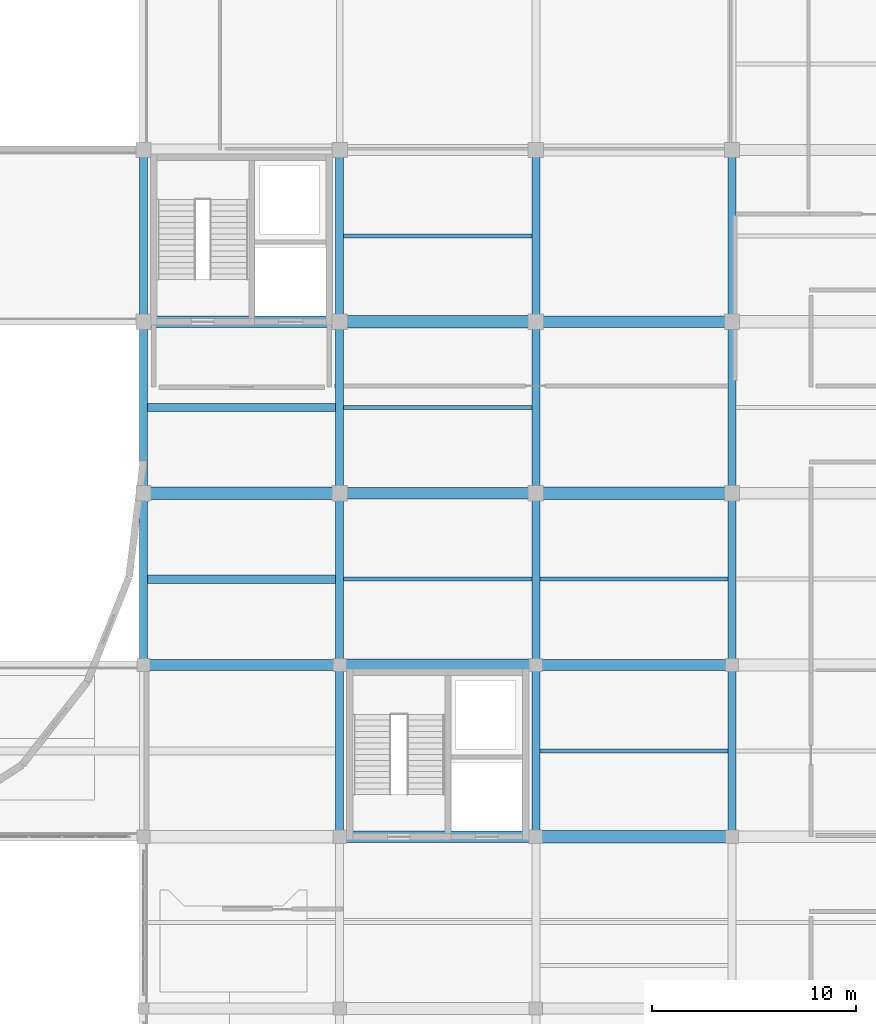
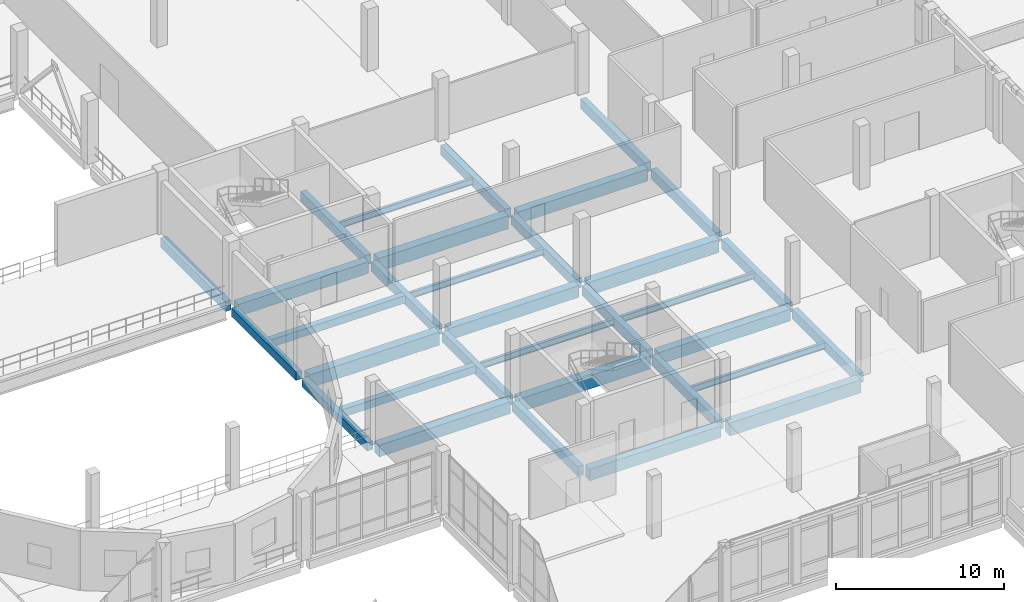
# One storey, part 40 of 88: 33 beams.
"""IFC4 building model written with IfcOpenShell, lengths in metres."""

from ifc_helpers import new_model, si_unit, direction, frame, origin, origin_2d, place, context, subcontext, project, spatial, rectangle, i_section, extrude, material, material_profile, profile_set, type_object, element, save


model = new_model("IFC4")

# Units and contexts
model_context = context("Model", 3, precision=1e-05, world=origin(), true_north=direction((0.0, 1.0)))
body_context = subcontext(model_context, "Body", "Model", "MODEL_VIEW")
ifc_project = project(units=[si_unit("LENGTHUNIT", "METRE"), si_unit("AREAUNIT", "SQUARE_METRE"), si_unit("VOLUMEUNIT", "CUBIC_METRE"), si_unit("PLANEANGLEUNIT", "RADIAN"), si_unit("MASSUNIT", "GRAM", prefix="KILO")], contexts=[model_context])

# Site, building, storey
site_placement = place(None, origin())
site = spatial("IfcSite", under=ifc_project, at=site_placement, CompositionType="ELEMENT")
building_placement = place(site_placement, origin())
building = spatial("IfcBuilding", under=site, at=building_placement, Name="Lornevale Opera House", CompositionType="ELEMENT")
storey_placement = place(building_placement, frame((0.0, 0.0, 10.199951171875)))
storey = spatial("IfcBuildingStorey", under=building, at=storey_placement, Name="L03", CompositionType="ELEMENT", Elevation=10.199951171875)

# Beams
ifc_material_1 = material(Name="Concrete 35 MPa (CSA A23.1 N)", Category="concrete")
ifc_material_profile_1 = material_profile(ifc_material_1, rectangle(XDim=0.39990234375, YDim=0.550048828125, at=origin_2d()), Name="RC400x550")
ifc_profile_set_1 = profile_set([ifc_material_profile_1], Name="Concrete 35 MPa (CSA A23.1 N)")
beam_type_1 = type_object("IfcBeamType", Name="Auditorium Tier Raker Beam 400x550", PredefinedType="JOIST", material=ifc_profile_set_1)
for number, where, z_axis, x_axis, name in (
    (1, (96.199951171875, 46.199951171875, -0.554931640625), (1.0, 0.0, 0.0), (0.0, 1.0, 0.0), "Auditorium Tier Raker Beam 400x550 2419"),
    (2, (96.199951171875, 54.60009765625, -0.554931640625), (1.0, 0.0, 0.0), (0.0, 1.0, 0.0), "Auditorium Tier Raker Beam 400x550 2420"),
):
    element("IfcBeam", number, at=place(storey_placement, frame(where, z_axis=z_axis, x_axis=x_axis)), inside=storey, type_object=beam_type_1, Name=name, PredefinedType="JOIST", context=body_context, shape_type="SweptSolid", body=[
        extrude(rectangle(XDim=0.39990234375, YDim=0.550048828125, at=origin_2d()), origin(), (0.0, 0.0, 1.0), 9.199951171875),
    ])
ifc_material_profile_2 = material_profile(ifc_material_1, rectangle(XDim=0.39990234375, YDim=0.699951171875, at=origin_2d()), Name="RC400x700")
ifc_profile_set_2 = profile_set([ifc_material_profile_2], Name="Concrete 35 MPa (CSA A23.1 N)")
beam_type_2 = type_object("IfcBeamType", Name="Concrete Floor Beam 400x700", PredefinedType="USERDEFINED", material=ifc_profile_set_2)
beam_1_placement = place(storey_placement, frame((96.0, 59.14990234375, -0.6298828125), z_axis=(0.0, 1.0, 0.0), x_axis=(-1.0, 0.0, 0.0)))
element("IfcBeam", 3, at=beam_1_placement, inside=storey, type_object=beam_type_2, Name="Concrete Floor Beam 400x700 2306", ObjectType="GIRDER", PredefinedType="USERDEFINED", context=body_context, shape_type="SweptSolid", body=[
    extrude(rectangle(XDim=0.39990234375, YDim=0.699951171875, at=origin_2d()), origin(), (0.0, 0.0, 1.0), 7.7001953125),
])
beam_2_placement = place(storey_placement, frame((105.60009765625, 33.89990234375, -0.6298828125), z_axis=(0.0, 1.0, 0.0), x_axis=(-1.0, 0.0, 0.0)))
element("IfcBeam", 4, at=beam_2_placement, inside=storey, type_object=beam_type_2, Name="Concrete Floor Beam 400x700 2313", ObjectType="GIRDER", PredefinedType="USERDEFINED", context=body_context, shape_type="SweptSolid", body=[
    extrude(rectangle(XDim=0.39990234375, YDim=0.699951171875, at=origin_2d()), origin(), (0.0, 0.0, 1.0), 7.800048828125),
])
beam_3_placement = place(storey_placement, frame((105.60009765625, 42.300048828125, -0.6298828125), z_axis=(0.0, 1.0, 0.0), x_axis=(-1.0, 0.0, 0.0)))
element("IfcBeam", 5, at=beam_3_placement, inside=storey, type_object=beam_type_2, Name="Concrete Floor Beam 400x700 2314", ObjectType="GIRDER", PredefinedType="USERDEFINED", context=body_context, shape_type="SweptSolid", body=[
    extrude(rectangle(XDim=0.39990234375, YDim=0.699951171875, at=origin_2d()), origin(), (0.0, 0.0, 1.0), 7.75),
])
beam_4_placement = place(storey_placement, frame((105.60009765625, 50.75, -0.6298828125), z_axis=(0.0, 1.0, 0.0), x_axis=(-1.0, 0.0, 0.0)))
element("IfcBeam", 6, at=beam_4_placement, inside=storey, type_object=beam_type_2, Name="Concrete Floor Beam 400x700 2315", ObjectType="GIRDER", PredefinedType="USERDEFINED", context=body_context, shape_type="SweptSolid", body=[
    extrude(rectangle(XDim=0.39990234375, YDim=0.699951171875, at=origin_2d()), origin(), (0.0, 0.0, 1.0), 7.699951171875),
])
beam_5_placement = place(storey_placement, frame((105.60009765625, 59.14990234375, -0.6298828125), z_axis=(0.0, 1.0, 0.0), x_axis=(-1.0, 0.0, 0.0)))
element("IfcBeam", 7, at=beam_5_placement, inside=storey, type_object=beam_type_2, Name="Concrete Floor Beam 400x700 2316", ObjectType="GIRDER", PredefinedType="USERDEFINED", context=body_context, shape_type="SweptSolid", body=[
    extrude(rectangle(XDim=0.39990234375, YDim=0.699951171875, at=origin_2d()), origin(), (0.0, 0.0, 1.0), 7.7001953125),
])
beam_6_placement = place(storey_placement, frame((115.199951171875, 33.89990234375, -0.6298828125), z_axis=(0.0, 1.0, 0.0), x_axis=(-1.0, 0.0, 0.0)))
element("IfcBeam", 8, at=beam_6_placement, inside=storey, type_object=beam_type_2, Name="Concrete Floor Beam 400x700 2322", ObjectType="GIRDER", PredefinedType="USERDEFINED", context=body_context, shape_type="SweptSolid", body=[
    extrude(rectangle(XDim=0.39990234375, YDim=0.699951171875, at=origin_2d()), origin(), (0.0, 0.0, 1.0), 7.800048828125),
])
beam_7_placement = place(storey_placement, frame((115.199951171875, 42.300048828125, -0.6298828125), z_axis=(0.0, 1.0, 0.0), x_axis=(-1.0, 0.0, 0.0)))
element("IfcBeam", 9, at=beam_7_placement, inside=storey, type_object=beam_type_2, Name="Concrete Floor Beam 400x700 2323", ObjectType="GIRDER", PredefinedType="USERDEFINED", context=body_context, shape_type="SweptSolid", body=[
    extrude(rectangle(XDim=0.39990234375, YDim=0.699951171875, at=origin_2d()), origin(), (0.0, 0.0, 1.0), 7.75),
])
beam_8_placement = place(storey_placement, frame((115.199951171875, 50.75, -0.6298828125), z_axis=(0.0, 1.0, 0.0), x_axis=(-1.0, 0.0, 0.0)))
element("IfcBeam", 10, at=beam_8_placement, inside=storey, type_object=beam_type_2, Name="Concrete Floor Beam 400x700 2324", ObjectType="GIRDER", PredefinedType="USERDEFINED", context=body_context, shape_type="SweptSolid", body=[
    extrude(rectangle(XDim=0.39990234375, YDim=0.699951171875, at=origin_2d()), origin(), (0.0, 0.0, 1.0), 7.699951171875),
])
beam_9_placement = place(storey_placement, frame((115.199951171875, 59.14990234375, -0.6298828125), z_axis=(0.0, 1.0, 0.0), x_axis=(-1.0, 0.0, 0.0)))
element("IfcBeam", 11, at=beam_9_placement, inside=storey, type_object=beam_type_2, Name="Concrete Floor Beam 400x700 2325", ObjectType="GIRDER", PredefinedType="USERDEFINED", context=body_context, shape_type="SweptSolid", body=[
    extrude(rectangle(XDim=0.39990234375, YDim=0.699951171875, at=origin_2d()), origin(), (0.0, 0.0, 1.0), 7.7001953125),
])
beam_10_placement = place(storey_placement, frame((124.800048828125, 33.89990234375, -0.6298828125), z_axis=(0.0, 1.0, 0.0), x_axis=(-1.0, 0.0, 0.0)))
element("IfcBeam", 12, at=beam_10_placement, inside=storey, type_object=beam_type_2, Name="Concrete Floor Beam 400x700 2333", ObjectType="GIRDER", PredefinedType="USERDEFINED", context=body_context, shape_type="SweptSolid", body=[
    extrude(rectangle(XDim=0.39990234375, YDim=0.699951171875, at=origin_2d()), origin(), (0.0, 0.0, 1.0), 7.800048828125),
])
beam_11_placement = place(storey_placement, frame((124.800048828125, 42.300048828125, -0.6298828125), z_axis=(0.0, 1.0, 0.0), x_axis=(-1.0, 0.0, 0.0)))
element("IfcBeam", 13, at=beam_11_placement, inside=storey, type_object=beam_type_2, Name="Concrete Floor Beam 400x700 2334", ObjectType="GIRDER", PredefinedType="USERDEFINED", context=body_context, shape_type="SweptSolid", body=[
    extrude(rectangle(XDim=0.39990234375, YDim=0.699951171875, at=origin_2d()), origin(), (0.0, 0.0, 1.0), 7.75),
])
beam_12_placement = place(storey_placement, frame((124.800048828125, 50.75, -0.6298828125), z_axis=(0.0, 1.0, 0.0), x_axis=(-1.0, 0.0, 0.0)))
element("IfcBeam", 14, at=beam_12_placement, inside=storey, type_object=beam_type_2, Name="Concrete Floor Beam 400x700 2335", ObjectType="GIRDER", PredefinedType="USERDEFINED", context=body_context, shape_type="SweptSolid", body=[
    extrude(rectangle(XDim=0.39990234375, YDim=0.699951171875, at=origin_2d()), origin(), (0.0, 0.0, 1.0), 7.699951171875),
])
beam_13_placement = place(storey_placement, frame((124.800048828125, 59.14990234375, -0.6298828125), z_axis=(0.0, 1.0, 0.0), x_axis=(-1.0, 0.0, 0.0)))
element("IfcBeam", 15, at=beam_13_placement, inside=storey, type_object=beam_type_2, Name="Concrete Floor Beam 400x700 2336", ObjectType="GIRDER", PredefinedType="USERDEFINED", context=body_context, shape_type="SweptSolid", body=[
    extrude(rectangle(XDim=0.39990234375, YDim=0.699951171875, at=origin_2d()), origin(), (0.0, 0.0, 1.0), 7.7001953125),
])
ifc_material_profile_3 = material_profile(ifc_material_1, rectangle(XDim=0.550048828125, YDim=0.85009765625, at=origin_2d()), Name="RC550x850")
ifc_profile_set_3 = profile_set([ifc_material_profile_3], Name="Concrete 35 MPa (CSA A23.1 N)")
beam_type_3 = type_object("IfcBeamType", Name="Concrete Primary Girder 550x850", PredefinedType="USERDEFINED", material=ifc_profile_set_3)
for number, where, z_axis, x_axis, name in (
    (16, (105.89990234375, 33.60009765625, -0.704833984375), (1.0, 0.0, 0.0), (0.0, 1.0, 0.0), "Concrete Primary Girder 550x850 2125"),
    (17, (96.300048828125, 42.0, -0.704833984375), (1.0, 0.0, 0.0), (0.0, 1.0, 0.0), "Concrete Primary Girder 550x850 2137"),
    (18, (115.5, 42.0, -0.704833984375), (1.0, 0.0, 0.0), (0.0, 1.0, 0.0), "Concrete Primary Girder 550x850 2139"),
):
    element("IfcBeam", number, at=place(storey_placement, frame(where, z_axis=z_axis, x_axis=x_axis)), inside=storey, type_object=beam_type_3, Name=name, ObjectType="GIRDER", PredefinedType="USERDEFINED", context=body_context, shape_type="SweptSolid", body=[
        extrude(rectangle(XDim=0.550048828125, YDim=0.85009765625, at=origin_2d()), origin(), (0.0, 0.0, 1.0), 9.0),
    ])
beam_14_placement = place(storey_placement, frame((105.949951171875, 50.39990234375, -0.704833984375), z_axis=(1.0, 0.0, 0.0), x_axis=(0.0, 1.0, 0.0)))
element("IfcBeam", 19, at=beam_14_placement, inside=storey, type_object=beam_type_3, Name="Concrete Primary Girder 550x850 2148", ObjectType="GIRDER", PredefinedType="USERDEFINED", context=body_context, shape_type="SweptSolid", body=[
    extrude(rectangle(XDim=0.550048828125, YDim=0.85009765625, at=origin_2d()), origin(), (0.0, 0.0, 1.0), 8.900146484375),
])
for number, where, z_axis, x_axis, name in (
    (20, (96.35009765625, 58.800048828125, -0.704833984375), (1.0, 0.0, 0.0), (0.0, 1.0, 0.0), "Concrete Primary Girder 550x850 2158"),
    (21, (115.550048828125, 58.800048828125, -0.704833984375), (1.0, 0.0, 0.0), (0.0, 1.0, 0.0), "Concrete Primary Girder 550x850 2160"),
):
    element("IfcBeam", number, at=place(storey_placement, frame(where, z_axis=z_axis, x_axis=x_axis)), inside=storey, type_object=beam_type_3, Name=name, ObjectType="GIRDER", PredefinedType="USERDEFINED", context=body_context, shape_type="SweptSolid", body=[
        extrude(rectangle(XDim=0.550048828125, YDim=0.85009765625, at=origin_2d()), origin(), (0.0, 0.0, 1.0), 8.89990234375),
    ])
ifc_material_profile_4 = material_profile(ifc_material_1, rectangle(XDim=0.60009765625, YDim=0.949951171875, at=origin_2d()), Name="RC600x950")
ifc_profile_set_4 = profile_set([ifc_material_profile_4], Name="Concrete 35 MPa (CSA A23.1 N)")
beam_type_4 = type_object("IfcBeamType", Name="Concrete Primary Girder 600x950", PredefinedType="USERDEFINED", material=ifc_profile_set_4)
for number, where, z_axis, x_axis, name in (
    (22, (115.5, 33.60009765625, -0.7548828125), (1.0, 0.0, 0.0), (0.0, 1.0, 0.0), "Concrete Primary Girder 600x950 2126"),
    (23, (105.89990234375, 42.0, -0.7548828125), (1.0, 0.0, 0.0), (0.0, 1.0, 0.0), "Concrete Primary Girder 600x950 2138"),
):
    element("IfcBeam", number, at=place(storey_placement, frame(where, z_axis=z_axis, x_axis=x_axis)), inside=storey, type_object=beam_type_4, Name=name, ObjectType="GIRDER", PredefinedType="USERDEFINED", context=body_context, shape_type="SweptSolid", body=[
        extrude(rectangle(XDim=0.60009765625, YDim=0.949951171875, at=origin_2d()), origin(), (0.0, 0.0, 1.0), 9.0),
    ])
for number, where, z_axis, x_axis, name in (
    (24, (96.35009765625, 50.39990234375, -0.7548828125), (1.0, 0.0, 0.0), (0.0, 1.0, 0.0), "Concrete Primary Girder 600x950 2147"),
    (25, (115.550048828125, 50.39990234375, -0.7548828125), (1.0, 0.0, 0.0), (0.0, 1.0, 0.0), "Concrete Primary Girder 600x950 2149"),
):
    element("IfcBeam", number, at=place(storey_placement, frame(where, z_axis=z_axis, x_axis=x_axis)), inside=storey, type_object=beam_type_4, Name=name, ObjectType="GIRDER", PredefinedType="USERDEFINED", context=body_context, shape_type="SweptSolid", body=[
        extrude(rectangle(XDim=0.60009765625, YDim=0.949951171875, at=origin_2d()), origin(), (0.0, 0.0, 1.0), 8.89990234375),
    ])
beam_15_placement = place(storey_placement, frame((105.949951171875, 58.800048828125, -0.7548828125), z_axis=(1.0, 0.0, 0.0), x_axis=(0.0, 1.0, 0.0)))
element("IfcBeam", 26, at=beam_15_placement, inside=storey, type_object=beam_type_4, Name="Concrete Primary Girder 600x950 2159", ObjectType="GIRDER", PredefinedType="USERDEFINED", context=body_context, shape_type="SweptSolid", body=[
    extrude(rectangle(XDim=0.60009765625, YDim=0.949951171875, at=origin_2d()), origin(), (0.0, 0.0, 1.0), 8.900146484375),
])
ifc_material_profile_5 = material_profile(ifc_material_1, rectangle(XDim=0.39990234375, YDim=0.60009765625, at=origin_2d()), Name="RC400x600")
ifc_profile_set_5 = profile_set([ifc_material_profile_5], Name="Concrete 35 MPa (CSA A23.1 N)")
beam_type_5 = type_object("IfcBeamType", Name="Concrete Spandrel Beam 400x600", PredefinedType="SPANDREL", material=ifc_profile_set_5)
beam_16_placement = place(storey_placement, frame((96.0, 42.300048828125, -0.579833984375), z_axis=(0.0, 1.0, 0.0), x_axis=(-1.0, 0.0, 0.0)))
element("IfcBeam", 27, at=beam_16_placement, inside=storey, type_object=beam_type_5, Name="Concrete Spandrel Beam 400x600 2304", PredefinedType="SPANDREL", context=body_context, shape_type="SweptSolid", body=[
    extrude(rectangle(XDim=0.39990234375, YDim=0.60009765625, at=origin_2d()), origin(), (0.0, 0.0, 1.0), 7.75),
])
beam_17_placement = place(storey_placement, frame((96.0, 50.75, -0.579833984375), z_axis=(0.0, 1.0, 0.0), x_axis=(-1.0, 0.0, 0.0)))
element("IfcBeam", 28, at=beam_17_placement, inside=storey, type_object=beam_type_5, Name="Concrete Spandrel Beam 400x600 2305", PredefinedType="SPANDREL", context=body_context, shape_type="SweptSolid", body=[
    extrude(rectangle(XDim=0.39990234375, YDim=0.60009765625, at=origin_2d()), origin(), (0.0, 0.0, 1.0), 7.699951171875),
])
ifc_material_2 = material(Name="Structural Steel CSA G40.21 Grade 350W (350 MPa)", Category="steel")
ifc_material_profile_6 = material_profile(ifc_material_2, i_section(OverallWidth=0.19189453125, OverallDepth=0.462890625, WebThickness=0.010498046875, FlangeThickness=0.017578125, at=origin_2d()), Name="W460x89")
ifc_profile_set_6 = profile_set([ifc_material_profile_6], Name="Structural Steel CSA G40.21 Grade 350W (350 MPa)")
beam_type_6 = type_object("IfcBeamType", Name="Steel Floor Joist W460x89", PredefinedType="JOIST", material=ifc_profile_set_6)
for number, where, z_axis, x_axis, name in (
    (29, (105.800048828125, 46.199951171875, -0.5263671875), (1.0, 0.0, 0.0), (0.0, 1.0, 0.0), "Steel Floor Joist W460x89 2425"),
    (30, (105.800048828125, 54.60009765625, -0.5263671875), (1.0, 0.0, 0.0), (0.0, 1.0, 0.0), "Steel Floor Joist W460x89 2426"),
    (31, (105.800048828125, 63.0, -0.5263671875), (1.0, 0.0, 0.0), (0.0, 1.0, 0.0), "Steel Floor Joist W460x89 2427"),
):
    element("IfcBeam", number, at=place(storey_placement, frame(where, z_axis=z_axis, x_axis=x_axis)), inside=storey, type_object=beam_type_6, Name=name, PredefinedType="JOIST", context=body_context, shape_type="SweptSolid", body=[
        extrude(i_section(OverallWidth=0.19189453125, OverallDepth=0.462890625, WebThickness=0.010498046875, FlangeThickness=0.017578125, at=origin_2d()), origin(), (0.0, 0.0, 1.0), 9.199951171875),
    ])
for number, where, z_axis, x_axis, name in (
    (32, (115.39990234375, 37.800048828125, -0.5263671875), (1.0, 0.0, 0.0), (0.0, 1.0, 0.0), "Steel Floor Joist W460x89 2432"),
    (33, (115.39990234375, 46.199951171875, -0.5263671875), (1.0, 0.0, 0.0), (0.0, 1.0, 0.0), "Steel Floor Joist W460x89 2433"),
):
    element("IfcBeam", number, at=place(storey_placement, frame(where, z_axis=z_axis, x_axis=x_axis)), inside=storey, type_object=beam_type_6, Name=name, PredefinedType="JOIST", context=body_context, shape_type="SweptSolid", body=[
        extrude(i_section(OverallWidth=0.19189453125, OverallDepth=0.462890625, WebThickness=0.010498046875, FlangeThickness=0.017578125, at=origin_2d()), origin(), (0.0, 0.0, 1.0), 9.2001953125),
    ])

save(model, "model.ifc")
